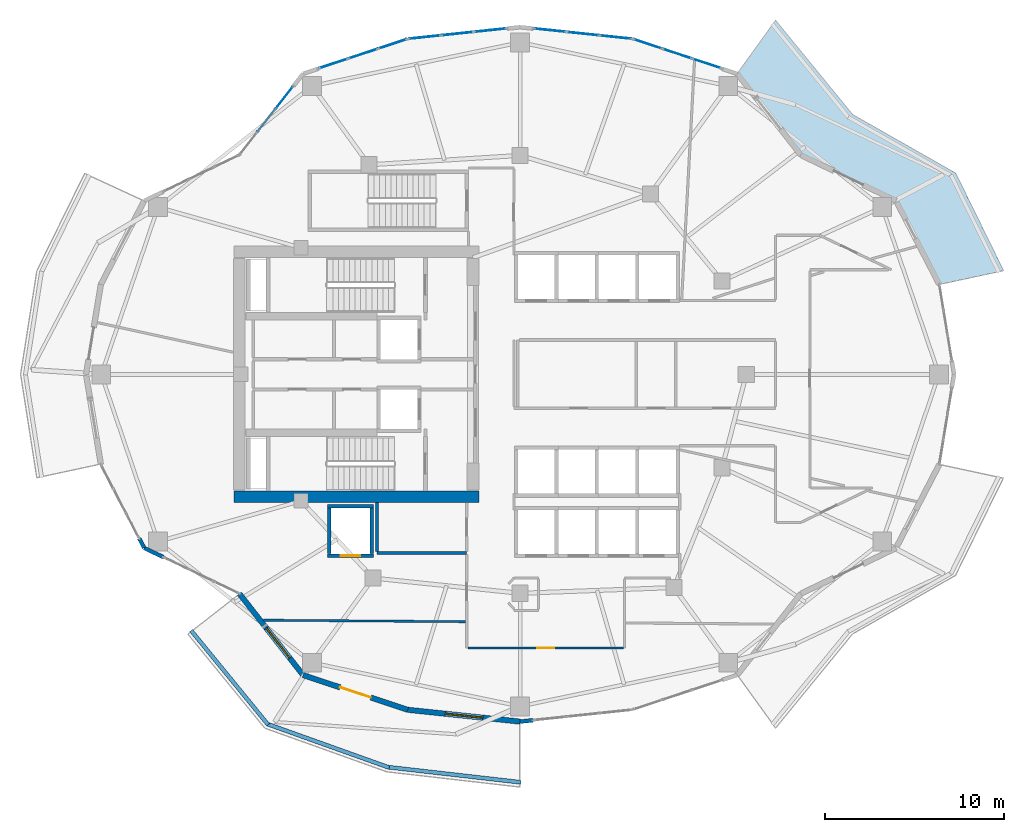
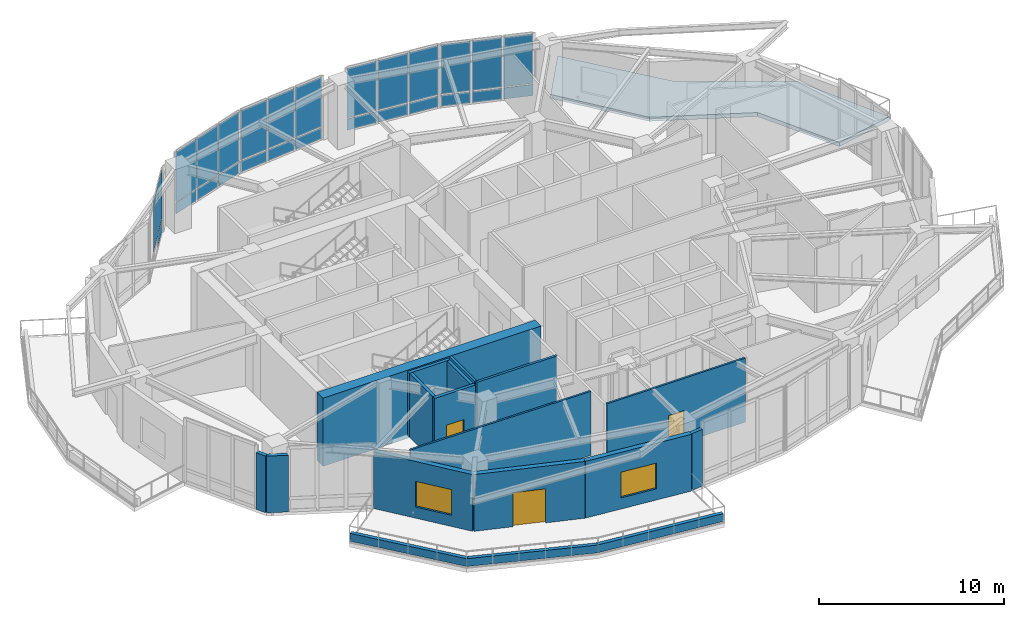
# One storey, part 9 of 16: 27 plates, 18 walls, 3 doors, 2 windows, 1 slab, 5 openings, 5 elements without a shape of their own.
"""IFC4 building model written with IfcOpenShell, lengths in metres."""

from ifc_helpers import new_model, si_unit, direction, frame, frame_2d, origin, origin_2d, place, context, subcontext, project, spatial, polyline, rectangle, outline, extrude, material, layer, layer_set, type_object, element, fill, aggregate, save


model = new_model("IFC4")

# Units and contexts
model_context = context("Model", 3, precision=1e-05, world=origin(), true_north=direction((0.0, 1.0)))
body_context = subcontext(model_context, "Body", "Model", "MODEL_VIEW")
ifc_project = project(units=[si_unit("LENGTHUNIT", "METRE"), si_unit("AREAUNIT", "SQUARE_METRE"), si_unit("VOLUMEUNIT", "CUBIC_METRE"), si_unit("PLANEANGLEUNIT", "RADIAN"), si_unit("MASSUNIT", "GRAM", prefix="KILO")], contexts=[model_context])

# Site, building, storey
site_placement = place(None, origin())
site = spatial("IfcSite", under=ifc_project, at=site_placement, CompositionType="ELEMENT")
building_placement = place(site_placement, origin())
building = spatial("IfcBuilding", under=site, at=building_placement, Name="Kolvaren Gate Tower and Convention Centre", CompositionType="ELEMENT")
storey_placement = place(building_placement, frame((0.0, 0.0, 100.800048828125)))
storey = spatial("IfcBuildingStorey", under=building, at=storey_placement, Name="L24", CompositionType="ELEMENT", Elevation=100.800048828125)

# Curtain wall, plates
ifc_material_1 = material(Name="Anodized Architectural Aluminium Alloy 6063-T6", Category="aluminium")
ifc_layer_1 = layer(ifc_material_1, 0.199951171875)
ifc_layer_set_1 = layer_set([ifc_layer_1], Name="Anodized Architectural Aluminium Alloy 6063-T6")
curtain_wall_type = type_object("IfcCurtainWallType", Name="CW-SKY-GLZ", PredefinedType="NOTDEFINED", material=ifc_layer_set_1)
curtain_wall_1_placement = place(storey_placement, origin())
curtain_wall_1 = element("IfcCurtainWall", 1, at=curtain_wall_1_placement, inside=storey, type_object=curtain_wall_type, Name="L24 Panoramic Structural Curtain Wall CW-04", PredefinedType="NOTDEFINED")
ifc_material_2 = material(Name="Low-E Triple Insulated Glazing Unit 44 mm", Category="glass")
ifc_layer_2 = layer(ifc_material_2, 0.0439453125)
ifc_layer_set_2 = layer_set([ifc_layer_2], Name="Low-E Triple Insulated Glazing Unit 44 mm")
plate_type_1 = type_object("IfcPlateType", Name="CW-PL-IGU-44", PredefinedType="CURTAIN_PANEL", material=ifc_layer_set_2)
plate_1_placement = place(storey_placement, frame((37.233642578125, 45.40966796875, 0.887451171875), z_axis=(0.0, 0.0, 1.0), x_axis=(0.949239916922, -0.314552984603, 0.0)))
plate_1 = element("IfcPlate", 2, at=plate_1_placement, type_object=plate_type_1, Name="CW-05 panel 1.2", PredefinedType="CURTAIN_PANEL", context=body_context, shape_type="SweptSolid", body=[
    extrude(rectangle(XDim=1.637451171875, YDim=0.0439453125, at=origin_2d()), origin(), (0.0, 0.0, 1.0), 3.267578125),
])
plate_2_placement = place(storey_placement, frame((38.876953125, 44.864990234375, 0.887451171875), z_axis=(0.0, 0.0, 1.0), x_axis=(0.949239916922, -0.314552984603, 0.0)))
plate_2 = element("IfcPlate", 3, at=plate_2_placement, type_object=plate_type_1, Name="CW-05 panel 2.2", PredefinedType="CURTAIN_PANEL", context=body_context, shape_type="SweptSolid", body=[
    extrude(rectangle(XDim=1.675048828125, YDim=0.0439453125, at=origin_2d()), origin(), (0.0, 0.0, 1.0), 3.267578125),
])
plate_3_placement = place(storey_placement, frame((40.520263671875, 44.3203125, 0.887451171875), z_axis=(0.0, 0.0, 1.0), x_axis=(0.949239916922, -0.314552984603, 0.0)))
plate_3 = element("IfcPlate", 4, at=plate_3_placement, type_object=plate_type_1, Name="CW-05 panel 3.2", PredefinedType="CURTAIN_PANEL", context=body_context, shape_type="SweptSolid", body=[
    extrude(rectangle(XDim=1.637451171875, YDim=0.0439453125, at=origin_2d()), origin(), (0.0, 0.0, 1.0), 3.267578125),
])

curtain_wall_2_placement = place(storey_placement, origin())
curtain_wall_2 = element("IfcCurtainWall", 5, at=curtain_wall_2_placement, inside=storey, type_object=curtain_wall_type, Name="L24 Panoramic Structural Curtain Wall CW-05", PredefinedType="NOTDEFINED")
plate_4_placement = place(storey_placement, frame((31.791259765625, 46.174560546875, 0.887451171875), z_axis=(0.0, 0.0, 1.0), x_axis=(0.994500824871, -0.104728741662, 0.0)))
plate_4 = element("IfcPlate", 6, at=plate_4_placement, type_object=plate_type_1, Name="CW-05 panel 1.2", PredefinedType="CURTAIN_PANEL", context=body_context, shape_type="SweptSolid", body=[
    extrude(rectangle(XDim=1.74267578125, YDim=0.0439453125, at=origin_2d()), origin(), (0.0, 0.0, 1.0), 3.267578125),
])
plate_5_placement = place(storey_placement, frame((33.61767578125, 45.982177734375, 0.887451171875), z_axis=(0.0, 0.0, 1.0), x_axis=(0.994500824871, -0.104728741662, 0.0)))
plate_5 = element("IfcPlate", 7, at=plate_5_placement, type_object=plate_type_1, Name="CW-05 panel 2.2", PredefinedType="CURTAIN_PANEL", context=body_context, shape_type="SweptSolid", body=[
    extrude(rectangle(XDim=1.7802734375, YDim=0.0439453125, at=origin_2d()), origin(), (0.0, 0.0, 1.0), 3.267578125),
])
plate_6_placement = place(storey_placement, frame((35.444091796875, 45.789794921875, 0.887451171875), z_axis=(0.0, 0.0, 1.0), x_axis=(0.994500824871, -0.104728741662, 0.0)))
plate_6 = element("IfcPlate", 8, at=plate_6_placement, type_object=plate_type_1, Name="CW-05 panel 3.2", PredefinedType="CURTAIN_PANEL", context=body_context, shape_type="SweptSolid", body=[
    extrude(rectangle(XDim=1.74267578125, YDim=0.0439453125, at=origin_2d()), origin(), (0.0, 0.0, 1.0), 3.267578125),
])

curtain_wall_3_placement = place(storey_placement, origin())
curtain_wall_3 = element("IfcCurtainWall", 9, at=curtain_wall_3_placement, inside=storey, type_object=curtain_wall_type, Name="L24 Panoramic Structural Curtain Wall CW-06", PredefinedType="NOTDEFINED")
plate_7_placement = place(storey_placement, frame((24.805908203125, 45.789794921875, 0.887451171875), z_axis=(0.0, 0.0, 1.0), x_axis=(0.994499347656, 0.104742768305, 0.0)))
plate_7 = element("IfcPlate", 10, at=plate_7_placement, type_object=plate_type_1, Name="CW-05 panel 1.2", PredefinedType="CURTAIN_PANEL", context=body_context, shape_type="SweptSolid", body=[
    extrude(rectangle(XDim=1.742919921875, YDim=0.0439453125, at=origin_2d()), origin(), (0.0, 0.0, 1.0), 3.267578125),
])
plate_8_placement = place(storey_placement, frame((26.632568359375, 45.982177734375, 0.887451171875), z_axis=(0.0, 0.0, 1.0), x_axis=(0.994499347656, 0.104742768305, 0.0)))
plate_8 = element("IfcPlate", 11, at=plate_8_placement, type_object=plate_type_1, Name="CW-05 panel 2.2", PredefinedType="CURTAIN_PANEL", context=body_context, shape_type="SweptSolid", body=[
    extrude(rectangle(XDim=1.7802734375, YDim=0.0439453125, at=origin_2d()), origin(), (0.0, 0.0, 1.0), 3.267578125),
])
plate_9_placement = place(storey_placement, frame((28.458984375, 46.174560546875, 0.887451171875), z_axis=(0.0, 0.0, 1.0), x_axis=(0.994499347656, 0.104742768305, 0.0)))
plate_9 = element("IfcPlate", 12, at=plate_9_placement, type_object=plate_type_1, Name="CW-05 panel 3.2", PredefinedType="CURTAIN_PANEL", context=body_context, shape_type="SweptSolid", body=[
    extrude(rectangle(XDim=1.742919921875, YDim=0.0439453125, at=origin_2d()), origin(), (0.0, 0.0, 1.0), 3.267578125),
])

curtain_wall_4_placement = place(storey_placement, origin())
curtain_wall_4 = element("IfcCurtainWall", 13, at=curtain_wall_4_placement, inside=storey, type_object=curtain_wall_type, Name="L24 Panoramic Structural Curtain Wall CW-07", PredefinedType="NOTDEFINED")
plate_10_placement = place(storey_placement, frame((19.729248046875, 44.3203125, 0.887451171875), z_axis=(0.0, 0.0, 1.0), x_axis=(0.949236081009, 0.314564560163, 0.0)))
plate_10 = element("IfcPlate", 14, at=plate_10_placement, type_object=plate_type_1, Name="CW-05 panel 1.2", PredefinedType="CURTAIN_PANEL", context=body_context, shape_type="SweptSolid", body=[
    extrude(rectangle(XDim=1.6376953125, YDim=0.0439453125, at=origin_2d()), origin(), (0.0, 0.0, 1.0), 3.267578125),
])
plate_11_placement = place(storey_placement, frame((21.372802734375, 44.864990234375, 0.887451171875), z_axis=(0.0, 0.0, 1.0), x_axis=(0.949236081009, 0.314564560163, 0.0)))
plate_11 = element("IfcPlate", 15, at=plate_11_placement, type_object=plate_type_1, Name="CW-05 panel 2.2", PredefinedType="CURTAIN_PANEL", context=body_context, shape_type="SweptSolid", body=[
    extrude(rectangle(XDim=1.675048828125, YDim=0.0439453125, at=origin_2d()), origin(), (0.0, 0.0, 1.0), 3.267578125),
])
plate_12_placement = place(storey_placement, frame((23.016357421875, 45.409423828125, 0.887451171875), z_axis=(0.0, 0.0, 1.0), x_axis=(0.949236081009, 0.314564560163, 0.0)))
plate_12 = element("IfcPlate", 16, at=plate_12_placement, type_object=plate_type_1, Name="CW-05 panel 3.2", PredefinedType="CURTAIN_PANEL", context=body_context, shape_type="SweptSolid", body=[
    extrude(rectangle(XDim=1.6376953125, YDim=0.0439453125, at=origin_2d()), origin(), (0.0, 0.0, 1.0), 3.267578125),
])

curtain_wall_5_placement = place(storey_placement, origin())
curtain_wall_5 = element("IfcCurtainWall", 17, at=curtain_wall_5_placement, inside=storey, type_object=curtain_wall_type, Name="L24 Panoramic Structural Curtain Wall CW-08", PredefinedType="NOTDEFINED")
plate_13_placement = place(storey_placement, frame((15.986328125, 41.1455078125, 0.887451171875), z_axis=(0.0, 0.0, 1.0), x_axis=(0.616441330983, 0.787400841666, 0.0)))
plate_13 = element("IfcPlate", 18, at=plate_13_placement, type_object=plate_type_1, Name="CW-05 panel 2.2", PredefinedType="CURTAIN_PANEL", context=body_context, shape_type="SweptSolid", body=[
    extrude(rectangle(XDim=1.552734375, YDim=0.0439453125, at=origin_2d()), origin(), (0.0, 0.0, 1.0), 3.267578125),
])
plate_14_placement = place(storey_placement, frame((16.978271484375, 42.412353515625, 0.887451171875), z_axis=(0.0, 0.0, 1.0), x_axis=(0.616441330983, 0.787400841666, 0.0)))
plate_14 = element("IfcPlate", 19, at=plate_14_placement, type_object=plate_type_1, Name="CW-05 panel 3.2", PredefinedType="CURTAIN_PANEL", context=body_context, shape_type="SweptSolid", body=[
    extrude(rectangle(XDim=1.51513671875, YDim=0.0439453125, at=origin_2d()), origin(), (0.0, 0.0, 1.0), 3.267578125),
])

# Plate
ifc_material_3 = material(Name="Solar-Control Laminated Curtain Glazing 36 mm", Category="glass")
ifc_layer_3 = layer(ifc_material_3, 0.035888671875)
ifc_layer_set_3 = layer_set([ifc_layer_3], Name="Solar-Control Laminated Curtain Glazing 36 mm")
plate_type_2 = type_object("IfcPlateType", Name="CW-PL-SPAN-36", PredefinedType="CURTAIN_PANEL", material=ifc_layer_set_3)
plate_15_placement = place(storey_placement, frame((37.233642578125, 45.40966796875, 0.07470703125), z_axis=(0.0, 0.0, 1.0), x_axis=(0.949239916922, -0.314552984603, 0.0)))
plate_15 = element("IfcPlate", 20, at=plate_15_placement, type_object=plate_type_2, Name="CW-05 panel 1.1", PredefinedType="CURTAIN_PANEL", context=body_context, shape_type="SweptSolid", body=[
    extrude(rectangle(XDim=1.637451171875, YDim=0.035888671875, at=origin_2d()), origin(), (0.0, 0.0, 1.0), 0.737548828125),
])

plate_16_placement = place(storey_placement, frame((38.876953125, 44.864990234375, 0.07470703125), z_axis=(0.0, 0.0, 1.0), x_axis=(0.949239916922, -0.314552984603, 0.0)))
plate_16 = element("IfcPlate", 21, at=plate_16_placement, type_object=plate_type_2, Name="CW-05 panel 2.1", PredefinedType="CURTAIN_PANEL", context=body_context, shape_type="SweptSolid", body=[
    extrude(rectangle(XDim=1.675048828125, YDim=0.035888671875, at=origin_2d()), origin(), (0.0, 0.0, 1.0), 0.737548828125),
])

plate_17_placement = place(storey_placement, frame((40.520263671875, 44.3203125, 0.07470703125), z_axis=(0.0, 0.0, 1.0), x_axis=(0.949239916922, -0.314552984603, 0.0)))
plate_17 = element("IfcPlate", 22, at=plate_17_placement, type_object=plate_type_2, Name="CW-05 panel 3.1", PredefinedType="CURTAIN_PANEL", context=body_context, shape_type="SweptSolid", body=[
    extrude(rectangle(XDim=1.637451171875, YDim=0.035888671875, at=origin_2d()), origin(), (0.0, 0.0, 1.0), 0.737548828125),
])

aggregate(curtain_wall_1, [plate_15, plate_1, plate_16, plate_2, plate_17, plate_3])

plate_18_placement = place(storey_placement, frame((31.791259765625, 46.174560546875, 0.07470703125), z_axis=(0.0, 0.0, 1.0), x_axis=(0.994500824871, -0.104728741662, 0.0)))
plate_18 = element("IfcPlate", 23, at=plate_18_placement, type_object=plate_type_2, Name="CW-05 panel 1.1", PredefinedType="CURTAIN_PANEL", context=body_context, shape_type="SweptSolid", body=[
    extrude(rectangle(XDim=1.74267578125, YDim=0.035888671875, at=origin_2d()), origin(), (0.0, 0.0, 1.0), 0.737548828125),
])

plate_19_placement = place(storey_placement, frame((33.61767578125, 45.982177734375, 0.07470703125), z_axis=(0.0, 0.0, 1.0), x_axis=(0.994500824871, -0.104728741662, 0.0)))
plate_19 = element("IfcPlate", 24, at=plate_19_placement, type_object=plate_type_2, Name="CW-05 panel 2.1", PredefinedType="CURTAIN_PANEL", context=body_context, shape_type="SweptSolid", body=[
    extrude(rectangle(XDim=1.7802734375, YDim=0.035888671875, at=origin_2d()), origin(), (0.0, 0.0, 1.0), 0.737548828125),
])

plate_20_placement = place(storey_placement, frame((35.444091796875, 45.789794921875, 0.07470703125), z_axis=(0.0, 0.0, 1.0), x_axis=(0.994500824871, -0.104728741662, 0.0)))
plate_20 = element("IfcPlate", 25, at=plate_20_placement, type_object=plate_type_2, Name="CW-05 panel 3.1", PredefinedType="CURTAIN_PANEL", context=body_context, shape_type="SweptSolid", body=[
    extrude(rectangle(XDim=1.74267578125, YDim=0.035888671875, at=origin_2d()), origin(), (0.0, 0.0, 1.0), 0.737548828125),
])

aggregate(curtain_wall_2, [plate_18, plate_4, plate_19, plate_5, plate_20, plate_6])

plate_21_placement = place(storey_placement, frame((24.805908203125, 45.789794921875, 0.07470703125), z_axis=(0.0, 0.0, 1.0), x_axis=(0.994499347656, 0.104742768305, 0.0)))
plate_21 = element("IfcPlate", 26, at=plate_21_placement, type_object=plate_type_2, Name="CW-05 panel 1.1", PredefinedType="CURTAIN_PANEL", context=body_context, shape_type="SweptSolid", body=[
    extrude(rectangle(XDim=1.742919921875, YDim=0.035888671875, at=origin_2d()), origin(), (0.0, 0.0, 1.0), 0.737548828125),
])

plate_22_placement = place(storey_placement, frame((26.632568359375, 45.982177734375, 0.07470703125), z_axis=(0.0, 0.0, 1.0), x_axis=(0.994499347656, 0.104742768305, 0.0)))
plate_22 = element("IfcPlate", 27, at=plate_22_placement, type_object=plate_type_2, Name="CW-05 panel 2.1", PredefinedType="CURTAIN_PANEL", context=body_context, shape_type="SweptSolid", body=[
    extrude(rectangle(XDim=1.7802734375, YDim=0.035888671875, at=origin_2d()), origin(), (0.0, 0.0, 1.0), 0.737548828125),
])

plate_23_placement = place(storey_placement, frame((28.458984375, 46.174560546875, 0.07470703125), z_axis=(0.0, 0.0, 1.0), x_axis=(0.994499347656, 0.104742768305, 0.0)))
plate_23 = element("IfcPlate", 28, at=plate_23_placement, type_object=plate_type_2, Name="CW-05 panel 3.1", PredefinedType="CURTAIN_PANEL", context=body_context, shape_type="SweptSolid", body=[
    extrude(rectangle(XDim=1.742919921875, YDim=0.035888671875, at=origin_2d()), origin(), (0.0, 0.0, 1.0), 0.737548828125),
])

aggregate(curtain_wall_3, [plate_21, plate_7, plate_22, plate_8, plate_23, plate_9])

plate_24_placement = place(storey_placement, frame((19.729248046875, 44.3203125, 0.07470703125), z_axis=(0.0, 0.0, 1.0), x_axis=(0.949236081009, 0.314564560163, 0.0)))
plate_24 = element("IfcPlate", 29, at=plate_24_placement, type_object=plate_type_2, Name="CW-05 panel 1.1", PredefinedType="CURTAIN_PANEL", context=body_context, shape_type="SweptSolid", body=[
    extrude(rectangle(XDim=1.6376953125, YDim=0.035888671875, at=origin_2d()), origin(), (0.0, 0.0, 1.0), 0.737548828125),
])

plate_25_placement = place(storey_placement, frame((21.372802734375, 44.864990234375, 0.07470703125), z_axis=(0.0, 0.0, 1.0), x_axis=(0.949236081009, 0.314564560163, 0.0)))
plate_25 = element("IfcPlate", 30, at=plate_25_placement, type_object=plate_type_2, Name="CW-05 panel 2.1", PredefinedType="CURTAIN_PANEL", context=body_context, shape_type="SweptSolid", body=[
    extrude(rectangle(XDim=1.675048828125, YDim=0.035888671875, at=origin_2d()), origin(), (0.0, 0.0, 1.0), 0.737548828125),
])

plate_26_placement = place(storey_placement, frame((23.016357421875, 45.409423828125, 0.07470703125), z_axis=(0.0, 0.0, 1.0), x_axis=(0.949236081009, 0.314564560163, 0.0)))
plate_26 = element("IfcPlate", 31, at=plate_26_placement, type_object=plate_type_2, Name="CW-05 panel 3.1", PredefinedType="CURTAIN_PANEL", context=body_context, shape_type="SweptSolid", body=[
    extrude(rectangle(XDim=1.6376953125, YDim=0.035888671875, at=origin_2d()), origin(), (0.0, 0.0, 1.0), 0.737548828125),
])

aggregate(curtain_wall_4, [plate_24, plate_10, plate_25, plate_11, plate_26, plate_12])

plate_27_placement = place(storey_placement, frame((16.978271484375, 42.412353515625, 0.07470703125), z_axis=(0.0, 0.0, 1.0), x_axis=(0.616441330983, 0.787400841666, 0.0)))
plate_27 = element("IfcPlate", 32, at=plate_27_placement, type_object=plate_type_2, Name="CW-05 panel 3.1", PredefinedType="CURTAIN_PANEL", context=body_context, shape_type="SweptSolid", body=[
    extrude(rectangle(XDim=1.51513671875, YDim=0.035888671875, at=origin_2d()), origin(), (0.0, 0.0, 1.0), 0.737548828125),
])

aggregate(curtain_wall_5, [plate_13, plate_27, plate_14])

# Slab
ifc_material_4 = material(Name="Concrete C50/60", Category="concrete")
ifc_layer_4 = layer(ifc_material_4, 0.27001953125)
ifc_layer_set_4 = layer_set([ifc_layer_4], Name="Concrete C50/60")
slab_type = type_object("IfcSlabType", Name="STR-SL-BALC-270", PredefinedType="FLOOR", material=ifc_layer_set_4)
slab_placement = place(storey_placement, frame((0.0, 0.0, -0.27001953125)))
element("IfcSlab", 33, at=slab_placement, inside=storey, type_object=slab_type, Name="Tower L24 Planted Balcony Terrace Slab 1 (East)", PredefinedType="FLOOR", context=body_context, shape_type="SweptSolid", body=[
    extrude(outline(polyline([(53.48828125, 32.008056640625), (51.072021484375, 36.675048828125), (45.768798828125, 39.222900390625), (42.21875, 43.757568359375), (44.360595703125, 46.725341796875), (48.652587890625, 41.476318359375), (54.394775390625, 38.209716796875), (57.06689453125, 32.775146484375), (53.48828125, 32.008056640625)])), origin(), (0.0, 0.0, 1.0), 0.27001953125),
])

# Wall, opening, door
ifc_material_5 = material(Name="Fire-Rated Acoustic Gypsum Stud Partition", Category="gypsum")
ifc_layer_5 = layer(ifc_material_5, 0.1201171875)
ifc_layer_set_5 = layer_set([ifc_layer_5], Name="Fire-Rated Acoustic Gypsum Stud Partition")
wall_type_1 = type_object("IfcWallType", Name="ARCH-WL-PART-120", PredefinedType="PARTITIONING", material=ifc_layer_set_5)
wall_1_placement = place(storey_placement, frame((27.22705078125, 11.75, 0.0), z_axis=(0.0, 0.0, 1.0), x_axis=(1.0, 0.0, 0.0)))
wall_1 = element("IfcWall", 34, at=wall_1_placement, inside=storey, type_object=wall_type_1, Name="Interior Partition WL-L24-INT-020", PredefinedType="PARTITIONING", context=body_context, shape_type="SweptSolid", body=[
    extrude(rectangle(XDim=8.660888671875, YDim=0.1201171875, at=frame_2d((4.33056640625, 0.0))), origin(), (0.0, 0.0, 1.0), 4.22998046875),
])
opening_1_placement = place(wall_1_placement, frame((3.85546875, 0.0, 0.0)))
opening_1 = element("IfcOpeningElement", 35, at=opening_1_placement, cuts=wall_1, Name="Opening DR-01", PredefinedType="OPENING", context=body_context, shape_type="SweptSolid", body=[
    extrude(rectangle(XDim=0.949951171875, YDim=2.10009765625, at=frame_2d((0.47509765625, 1.050048828125))), frame((0.0, 0.070068359375, 0.0), z_axis=(0.0, -1.0, 0.0), x_axis=(1.0, 0.0, 0.0)), (0.0, 0.0, 1.0), 0.14013671875),
])
ifc_material_6 = material(Name="Painted Architectural Steelwork ASTM A500 Grade C 345 MPa", Category="steel")
door_type_1 = type_object("IfcDoorType", Name="ARCH-DR-RISER-950", OperationType="SINGLE_SWING_RIGHT", PredefinedType="DOOR", material=ifc_material_6)
door_1_placement = place(opening_1_placement, origin())
door_1 = element("IfcDoor", 36, at=door_1_placement, inside=storey, type_object=door_type_1, Name="Panorama Espresso Cafe Door", OperationType="SINGLE_SWING_RIGHT", OverallHeight=2.10009765625, OverallWidth=0.949951171875, PredefinedType="DOOR", context=body_context, shape_type="SweptSolid", body=[
    extrude(rectangle(XDim=0.949951171875, YDim=2.10009765625, at=frame_2d((0.47509765625, 1.050048828125))), frame((0.0, 0.02490234375, 0.0), z_axis=(0.0, -1.0, 0.0), x_axis=(1.0, 0.0, 0.0)), (0.0, 0.0, 1.0), 0.050048828125),
])
fill(opening_1, door_1)

# Walls
wall_2_placement = place(storey_placement, frame((15.827880859375, 13.30322265625, 0.0), z_axis=(0.0, 0.0, 1.0), x_axis=(0.999970299792, -0.007707109345, 0.0)))
element("IfcWall", 37, at=wall_2_placement, inside=storey, type_object=wall_type_1, Name="Interior Partition WL-L24-INT-047", PredefinedType="PARTITIONING", context=body_context, shape_type="SweptSolid", body=[
    extrude(rectangle(XDim=11.245361328125, YDim=0.1201171875, at=frame_2d((5.62255859375, 0.0))), origin(), (0.0, 0.0, 1.0), 4.22998046875),
])
ifc_material_7 = material(Name="Bogota Sabana Bush-Hammered Sandstone Cladding", Category="masonry")
ifc_layer_6 = layer(ifc_material_7, 0.219970703125)
ifc_layer_set_6 = layer_set([ifc_layer_6], Name="Bogota Sabana Bush-Hammered Sandstone Cladding")
wall_type_2 = type_object("IfcWallType", Name="ARCH-WL-PIER-220", PredefinedType="SOLIDWALL", material=ifc_layer_set_6)
wall_3_placement = place(storey_placement, frame((8.901611328125, 17.85888671875, 0.0), z_axis=(0.0, 0.0, 1.0), x_axis=(0.459676982697, -0.888086184769, 0.0)))
element("IfcWall", 38, at=wall_3_placement, inside=storey, type_object=wall_type_2, Name="L24 Panoramic Structural Curtain Wall CW-13 Right Column Pier Wrap", PredefinedType="SOLIDWALL", context=body_context, shape_type="SweptSolid", body=[
    extrude(rectangle(XDim=0.601318359375, YDim=0.219970703125, at=frame_2d((0.30078125, 0.0))), origin(), (0.0, 0.0, 1.0), 3.7529296875),
])
wall_4_placement = place(storey_placement, frame((9.177978515625, 17.324951171875, 0.0), z_axis=(0.0, 0.0, 1.0), x_axis=(0.901426247285, -0.432932697664, 0.0)))
element("IfcWall", 39, at=wall_4_placement, inside=storey, type_object=wall_type_2, Name="L24 Panoramic Structural Curtain Wall CW-14 Left Column Pier Wrap", PredefinedType="SOLIDWALL", context=body_context, shape_type="SweptSolid", body=[
    extrude(rectangle(XDim=1.180908203125, YDim=0.219970703125, at=frame_2d((0.59033203125, 0.0))), origin(), (0.0, 0.0, 1.0), 3.7529296875),
])
wall_5_placement = place(storey_placement, frame((30.125, 7.64990234375, 0.0), z_axis=(0.0, 0.0, 1.0), x_axis=(0.994492602029, 0.104806796106, 0.0)))
element("IfcWall", 40, at=wall_5_placement, inside=storey, type_object=wall_type_2, Name="L24 Panoramic Structural Curtain Wall CW-18 Left Column Pier Wrap", PredefinedType="SOLIDWALL", context=body_context, shape_type="SweptSolid", body=[
    extrude(rectangle(XDim=0.72900390625, YDim=0.219970703125, at=frame_2d((0.364501953125, 0.0))), origin(), (0.0, 0.0, 1.0), 3.7529296875),
])
ifc_material_8 = material(Name="Piedmont Cream Honed Limestone Cladding", Category="masonry")
ifc_layer_7 = layer(ifc_material_8, 0.219970703125)
ifc_layer_set_7 = layer_set([ifc_layer_7], Name="Piedmont Cream Honed Limestone Cladding")
wall_type_3 = type_object("IfcWallType", Name="ARCH-WL-PLANTER-220", PredefinedType="PARAPET", material=ifc_layer_set_7)
wall_6_placement = place(storey_placement, frame((11.791015625, 12.725830078125, 0.0), z_axis=(0.0, 0.0, 1.0), x_axis=(0.633002467947, -0.77414977593, 0.0)))
element("IfcWall", 41, at=wall_6_placement, inside=storey, type_object=wall_type_3, Name="Vertical-Forest Balcony Stone Planter Kerb PK-L24-3.1", PredefinedType="PARAPET", context=body_context, shape_type="SweptSolid", body=[
    extrude(rectangle(XDim=6.7802734375, YDim=0.219970703125, at=frame_2d((3.39013671875, 0.0))), origin(), (0.0, 0.0, 1.0), 0.52001953125),
])
wall_7_placement = place(storey_placement, frame((16.017822265625, 7.523193359375, 0.0), z_axis=(0.0, 0.0, 1.0), x_axis=(0.941632697311, -0.336642040387, 0.0)))
element("IfcWall", 42, at=wall_7_placement, inside=storey, type_object=wall_type_3, Name="Vertical-Forest Balcony Stone Planter Kerb PK-L24-3.2", PredefinedType="PARAPET", context=body_context, shape_type="SweptSolid", body=[
    extrude(rectangle(XDim=7.235595703125, YDim=0.219970703125, at=frame_2d((3.61767578125, 0.0))), origin(), (0.0, 0.0, 1.0), 0.52001953125),
])
wall_8_placement = place(storey_placement, frame((22.747802734375, 5.114990234375, 0.0), z_axis=(0.0, 0.0, 1.0), x_axis=(0.993527615836, -0.11359082961, 0.0)))
element("IfcWall", 43, at=wall_8_placement, inside=storey, type_object=wall_type_3, Name="Vertical-Forest Balcony Stone Planter Kerb PK-L24-3.3", PredefinedType="PARAPET", context=body_context, shape_type="SweptSolid", body=[
    extrude(rectangle(XDim=7.470947265625, YDim=0.219970703125, at=frame_2d((3.7353515625, 0.0))), origin(), (0.0, 0.0, 1.0), 0.52001953125),
])
ifc_material_9 = material(Name="Autoclaved Aerated Masonry Blockwork Class 4 (4.0 MPa)", Category="masonry")
ifc_layer_8 = layer(ifc_material_9, 0.199951171875)
ifc_layer_set_8 = layer_set([ifc_layer_8], Name="Autoclaved Aerated Masonry Blockwork Class 4 (4.0 MPa)")
wall_type_4 = type_object("IfcWallType", Name="ARCH-WL-SHAFT-200", PredefinedType="SOLIDWALL", material=ifc_layer_set_8)
wall_9_placement = place(storey_placement, frame((19.39990234375, 19.64990234375, 0.0), z_axis=(0.0, 0.0, 1.0), x_axis=(1.0, 0.0, 0.0)))
element("IfcWall", 44, at=wall_9_placement, inside=storey, type_object=wall_type_4, Name="Elevator SV-01 L24 Fire Shaft Wall N", PredefinedType="SOLIDWALL", context=body_context, shape_type="SweptSolid", body=[
    extrude(rectangle(XDim=2.550048828125, YDim=0.199951171875, at=frame_2d((1.27490234375, 0.0))), origin(), (0.0, 0.0, 1.0), 4.22998046875),
])

# Wall, opening, door
wall_10_placement = place(storey_placement, frame((19.39990234375, 16.89990234375, 0.0), z_axis=(0.0, 0.0, 1.0), x_axis=(1.0, 0.0, 0.0)))
wall_10 = element("IfcWall", 45, at=wall_10_placement, inside=storey, type_object=wall_type_4, Name="Elevator SV-01 L24 Fire Shaft Wall S", PredefinedType="SOLIDWALL", context=body_context, shape_type="SweptSolid", body=[
    extrude(rectangle(XDim=2.550048828125, YDim=0.199951171875, at=frame_2d((1.27490234375, 0.0))), origin(), (0.0, 0.0, 1.0), 4.22998046875),
])
opening_2_placement = place(wall_10_placement, frame((0.72509765625, 0.0, 0.0)))
opening_2 = element("IfcOpeningElement", 46, at=opening_2_placement, cuts=wall_10, Name="Opening LD", PredefinedType="OPENING", context=body_context, shape_type="SweptSolid", body=[
    extrude(rectangle(XDim=1.10009765625, YDim=2.199951171875, at=frame_2d((0.550048828125, 1.10009765625))), frame((0.0, 0.10986328125, 0.0), z_axis=(0.0, -1.0, 0.0), x_axis=(1.0, 0.0, 0.0)), (0.0, 0.0, 1.0), 0.219970703125),
])
ifc_material_10 = material(Name="Brushed Stainless Steel Grade 316L", Category="steel")
door_type_2 = type_object("IfcDoorType", Name="ARCH-DR-LIFT-1100", OperationType="SLIDING_TO_LEFT", PredefinedType="DOOR", material=ifc_material_10)
door_2_placement = place(opening_2_placement, origin())
door_2 = element("IfcDoor", 47, at=door_2_placement, inside=storey, type_object=door_type_2, Name="Elevator SV-01 L24 Sliding Landing Door", OperationType="SLIDING_TO_LEFT", OverallHeight=2.199951171875, OverallWidth=1.10009765625, PredefinedType="DOOR", context=body_context, shape_type="SweptSolid", body=[
    extrude(rectangle(XDim=1.10009765625, YDim=2.199951171875, at=frame_2d((0.550048828125, 1.10009765625))), frame((0.0, 0.02490234375, 0.0), z_axis=(0.0, -1.0, 0.0), x_axis=(1.0, 0.0, 0.0)), (0.0, 0.0, 1.0), 0.050048828125),
])
fill(opening_2, door_2)

# Walls
for number, where, z_axis, x_axis, name in (
    (48, (19.5, 17.010009765625, 0.0), (0.0, 0.0, 1.0), (0.0, 1.0, 0.0), "Elevator SV-01 L24 Fire Shaft Wall W"),
    (49, (21.85009765625, 17.010009765625, 0.0), (0.0, 0.0, 1.0), (0.0, 1.0, 0.0), "Elevator SV-01 L24 Fire Shaft Wall E"),
):
    element("IfcWall", number, at=place(storey_placement, frame(where, z_axis=z_axis, x_axis=x_axis)), inside=storey, type_object=wall_type_4, Name=name, PredefinedType="SOLIDWALL", context=body_context, shape_type="SweptSolid", body=[
        extrude(rectangle(XDim=2.530029296875, YDim=0.199951171875, at=frame_2d((1.26513671875, 0.0))), origin(), (0.0, 0.0, 1.0), 4.22998046875),
    ])

# Wall, opening, window
ifc_layer_9 = layer(ifc_material_8, 0.300048828125)
ifc_layer_set_9 = layer_set([ifc_layer_9], Name="Piedmont Cream Honed Limestone Cladding")
wall_type_5 = type_object("IfcWallType", Name="ARCH-WL-STONE-300", PredefinedType="SOLIDWALL", material=ifc_layer_set_9)
wall_11_placement = place(storey_placement, frame((14.481201171875, 14.777099609375, 0.0), z_axis=(0.0, 0.0, 1.0), x_axis=(0.616435134162, -0.787405693001, 0.0)))
wall_11 = element("IfcWall", 50, at=wall_11_placement, inside=storey, type_object=wall_type_5, Name="Tower L24 Honed Stone Spandrel Wall EW-15", PredefinedType="SOLIDWALL", context=body_context, shape_type="SweptSolid", body=[
    extrude(rectangle(XDim=5.759033203125, YDim=0.300048828125, at=frame_2d((2.87939453125, 0.0))), origin(), (0.0, 0.0, 1.0), 3.7529296875),
])
opening_3_placement = place(wall_11_placement, frame((2.449951171875, 0.0, 0.739990234375)))
opening_3 = element("IfcOpeningElement", 51, at=opening_3_placement, cuts=wall_11, Name="Opening W-02", PredefinedType="OPENING", context=body_context, shape_type="SweptSolid", body=[
    extrude(rectangle(XDim=2.10009765625, YDim=1.699951171875, at=frame_2d((1.050048828125, 0.85009765625))), frame((0.0, 0.159912109375, 0.0), z_axis=(0.0, -1.0, 0.0), x_axis=(1.0, 0.0, 0.0)), (0.0, 0.0, 1.0), 0.320068359375),
])
window_type = type_object("IfcWindowType", Name="ARCH-WN-HTL-2100", PartitioningType="SINGLE_PANEL", PredefinedType="WINDOW", material=ifc_material_2)
window_1_placement = place(opening_3_placement, origin())
window_1 = element("IfcWindow", 52, at=window_1_placement, inside=storey, type_object=window_type, Name="Tower L24 Punched Stone Facade Window W-15", OverallHeight=1.699951171875, OverallWidth=2.10009765625, PartitioningType="SINGLE_PANEL", PredefinedType="WINDOW", context=body_context, shape_type="SweptSolid", body=[
    extrude(rectangle(XDim=2.10009765625, YDim=1.699951171875, at=frame_2d((1.050048828125, 0.85009765625))), frame((0.0, 0.030029296875, 0.0), z_axis=(0.0, -1.0, 0.0), x_axis=(1.0, 0.0, 0.0)), (0.0, 0.0, 1.0), 0.06005859375),
])
fill(opening_3, window_1)

# Wall, opening, door
wall_12_placement = place(storey_placement, frame((18.03125, 10.242431640625, 0.0), z_axis=(0.0, 0.0, 1.0), x_axis=(0.949238009374, -0.314558741032, 0.0)))
wall_12 = element("IfcWall", 53, at=wall_12_placement, inside=storey, type_object=wall_type_5, Name="Tower L24 Honed Stone Spandrel Wall EW-16", PredefinedType="SOLIDWALL", context=body_context, shape_type="SweptSolid", body=[
    extrude(rectangle(XDim=6.1455078125, YDim=0.300048828125, at=frame_2d((3.07275390625, 0.0))), origin(), (0.0, 0.0, 1.0), 3.7529296875),
])
opening_4_placement = place(wall_12_placement, frame((2.173095703125, 0.0, 0.0)))
opening_4 = element("IfcOpeningElement", 54, at=opening_4_placement, cuts=wall_12, Name="Opening DB-01", PredefinedType="OPENING", context=body_context, shape_type="SweptSolid", body=[
    extrude(rectangle(XDim=1.800048828125, YDim=2.25, at=frame_2d((0.89990234375, 1.125))), frame((0.0, 0.159912109375, 0.0), z_axis=(0.0, -1.0, 0.0), x_axis=(1.0, 0.0, 0.0)), (0.0, 0.0, 1.0), 0.320068359375),
])
door_type_3 = type_object("IfcDoorType", Name="ARCH-DR-BALC-1800", OperationType="SLIDING_TO_LEFT", PredefinedType="DOOR", material=ifc_material_1)
door_3_placement = place(opening_4_placement, frame((1.800048828125, 0.0, 0.0), z_axis=(0.0, 0.0, 1.0), x_axis=(-1.0, 0.0, 0.0)))
door_3 = element("IfcDoor", 55, at=door_3_placement, inside=storey, type_object=door_type_3, Name="Planted Sky Terrace Access Door DB-L24-16", OperationType="SLIDING_TO_LEFT", OverallHeight=2.25, OverallWidth=1.800048828125, PredefinedType="DOOR", context=body_context, shape_type="SweptSolid", body=[
    extrude(rectangle(XDim=1.800048828125, YDim=2.25, at=frame_2d((0.89990234375, 1.125))), frame((0.0, 0.02490234375, 0.0), z_axis=(0.0, -1.0, 0.0), x_axis=(1.0, 0.0, 0.0)), (0.0, 0.0, 1.0), 0.050048828125),
])
fill(opening_4, door_3)

# Wall, opening, window
wall_13_placement = place(storey_placement, frame((23.86474609375, 8.309326171875, 0.0), z_axis=(0.0, 0.0, 1.0), x_axis=(0.994498012394, -0.104755445421, 0.0)))
wall_13 = element("IfcWall", 56, at=wall_13_placement, inside=storey, type_object=wall_type_5, Name="Tower L24 Honed Stone Spandrel Wall EW-17", PredefinedType="SOLIDWALL", context=body_context, shape_type="SweptSolid", body=[
    extrude(rectangle(XDim=6.294921875, YDim=0.300048828125, at=frame_2d((3.1474609375, 0.0))), origin(), (0.0, 0.0, 1.0), 3.7529296875),
])
opening_5_placement = place(wall_13_placement, frame((2.096923828125, 0.0, 0.739990234375)))
opening_5 = element("IfcOpeningElement", 57, at=opening_5_placement, cuts=wall_13, Name="Opening W-02", PredefinedType="OPENING", context=body_context, shape_type="SweptSolid", body=[
    extrude(rectangle(XDim=2.10009765625, YDim=1.699951171875, at=frame_2d((1.050048828125, 0.85009765625))), frame((0.0, 0.159912109375, 0.0), z_axis=(0.0, -1.0, 0.0), x_axis=(1.0, 0.0, 0.0)), (0.0, 0.0, 1.0), 0.320068359375),
])
window_2_placement = place(opening_5_placement, origin())
window_2 = element("IfcWindow", 58, at=window_2_placement, inside=storey, type_object=window_type, Name="Tower L24 Punched Stone Facade Window W-17", OverallHeight=1.699951171875, OverallWidth=2.10009765625, PartitioningType="SINGLE_PANEL", PredefinedType="WINDOW", context=body_context, shape_type="SweptSolid", body=[
    extrude(rectangle(XDim=2.10009765625, YDim=1.699951171875, at=frame_2d((1.050048828125, 0.85009765625))), frame((0.0, 0.030029296875, 0.0), z_axis=(0.0, -1.0, 0.0), x_axis=(1.0, 0.0, 0.0)), (0.0, 0.0, 1.0), 0.06005859375),
])
fill(opening_5, window_2)

# Walls
ifc_material_11 = material(Name="Moisture-Resistant Cement-Board Acoustic Partition", Category="gypsum")
ifc_layer_10 = layer(ifc_material_11, 0.14990234375)
ifc_layer_set_10 = layer_set([ifc_layer_10], Name="Moisture-Resistant Cement-Board Acoustic Partition")
wall_type_6 = type_object("IfcWallType", Name="ARCH-WL-WET-150", PredefinedType="PARTITIONING", material=ifc_layer_set_10)
wall_14_placement = place(storey_placement, frame((22.14990234375, 17.050048828125, 0.0), z_axis=(0.0, 0.0, 1.0), x_axis=(1.0, 0.0, 0.0)))
element("IfcWall", 59, at=wall_14_placement, inside=storey, type_object=wall_type_6, Name="Interior Partition WL-L24-INT-009", PredefinedType="PARTITIONING", context=body_context, shape_type="SweptSolid", body=[
    extrude(rectangle(XDim=5.0, YDim=0.14990234375, at=frame_2d((2.5, 0.0))), origin(), (0.0, 0.0, 1.0), 4.22998046875),
])
wall_15_placement = place(storey_placement, frame((22.14990234375, 17.126953125, 0.0), z_axis=(0.0, 0.0, 1.0), x_axis=(0.0, 1.0, 0.0)))
element("IfcWall", 60, at=wall_15_placement, inside=storey, type_object=wall_type_6, Name="Interior Partition WL-L24-INT-010", PredefinedType="PARTITIONING", context=body_context, shape_type="SweptSolid", body=[
    extrude(rectangle(XDim=2.720947265625, YDim=0.14990234375, at=frame_2d((1.3603515625, 0.0))), origin(), (0.0, 0.0, 1.0), 4.22998046875),
])
ifc_material_12 = material(Name="Concrete C60/75", Category="concrete")
ifc_layer_11 = layer(ifc_material_12, 0.64990234375)
ifc_layer_set_11 = layer_set([ifc_layer_11], Name="Concrete C60/75")
wall_type_7 = type_object("IfcWallType", Name="STR-WL-CORE-650", PredefinedType="SHEAR", material=ifc_layer_set_11)
wall_16_placement = place(storey_placement, frame((14.175048828125, 20.175048828125, -0.280029296875), z_axis=(0.0, 0.0, 1.0), x_axis=(1.0, 0.0, 0.0)))
element("IfcWall", 61, at=wall_16_placement, inside=storey, type_object=wall_type_7, Name="Tower L24 Offset Core Shear Wall S", PredefinedType="SHEAR", context=body_context, shape_type="SweptSolid", body=[
    extrude(rectangle(XDim=13.64990234375, YDim=0.64990234375, at=frame_2d((6.824951171875, 0.0))), origin(), (0.0, 0.0, 1.0), 4.510009765625),
])

save(model, "model.ifc")
